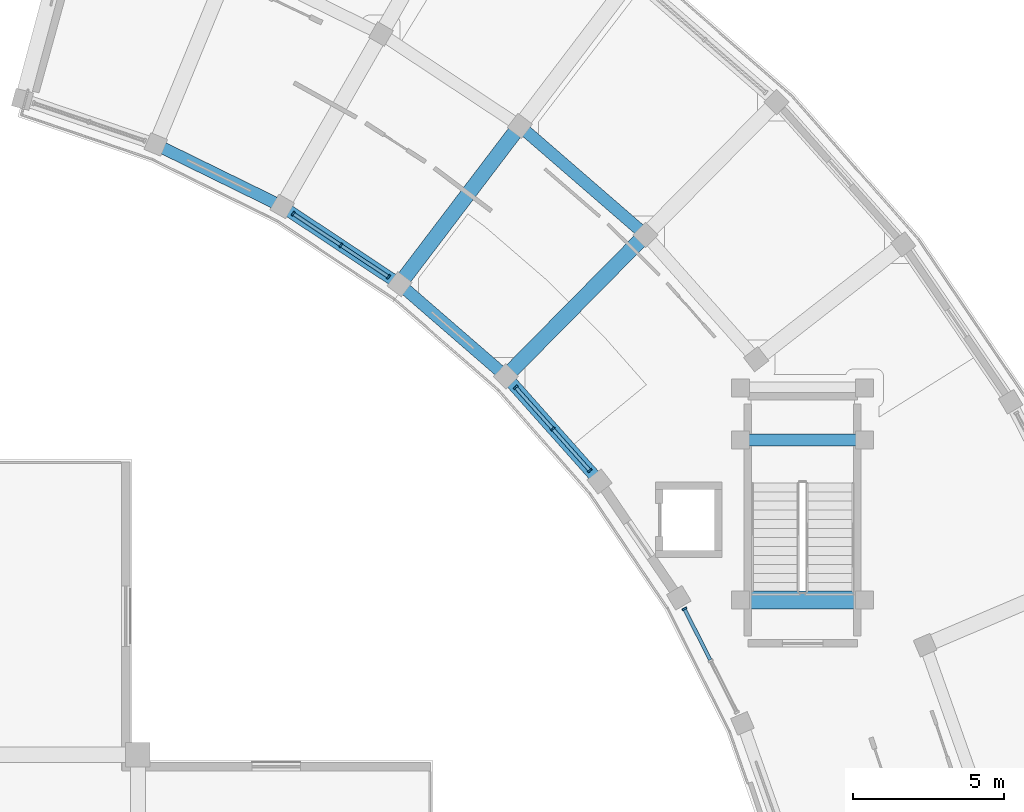
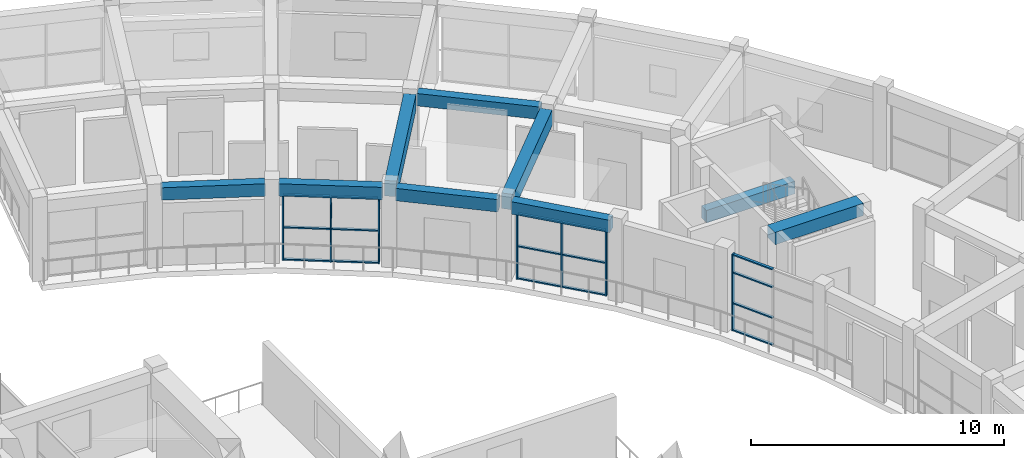
# One storey, part 34 of 70: 23 members, 9 beams, 3 elements without a shape of their own.
"""IFC4 building model written with IfcOpenShell, lengths in metres."""

from ifc_helpers import new_model, si_unit, direction, frame, origin, origin_2d, place, context, subcontext, project, spatial, rectangle, extrude, material, material_profile, profile_set, type_object, element, aggregate, save


model = new_model("IFC4")

# Units and contexts
model_context = context("Model", 3, precision=1e-05, world=origin(), true_north=direction((0.0, 1.0)))
body_context = subcontext(model_context, "Body", "Model", "MODEL_VIEW")
ifc_project = project(units=[si_unit("LENGTHUNIT", "METRE"), si_unit("AREAUNIT", "SQUARE_METRE"), si_unit("VOLUMEUNIT", "CUBIC_METRE"), si_unit("PLANEANGLEUNIT", "RADIAN"), si_unit("MASSUNIT", "GRAM", prefix="KILO")], contexts=[model_context])

# Site, building, storey
site_placement = place(None, origin())
site = spatial("IfcSite", under=ifc_project, at=site_placement, CompositionType="ELEMENT")
building_placement = place(site_placement, origin())
building = spatial("IfcBuilding", under=site, at=building_placement, Name="Saryqyr Civic Hall", CompositionType="ELEMENT")
storey_placement = place(building_placement, frame((0.0, 0.0, 13.199951171875)))
storey = spatial("IfcBuildingStorey", under=building, at=storey_placement, Name="L03", CompositionType="ELEMENT", Elevation=13.199951171875)

# Curtain wall, member
ifc_material_1 = material(Name="Anodised aluminium and triple low-E glass", Category="aluminium")
curtain_wall_type_1 = type_object("IfcCurtainWallType", Name="ENV-CW-STD-48", PredefinedType="NOTDEFINED", material=ifc_material_1)
curtain_wall_1_placement = place(storey_placement, origin())
curtain_wall_1 = element("IfcCurtainWall", 1, at=curtain_wall_1_placement, inside=storey, type_object=curtain_wall_type_1, Name="Curtain wall V6-CWI-L03-03", PredefinedType="NOTDEFINED")
ifc_material_2 = material(Name="Anodised aluminium", Category="aluminium")
ifc_material_profile_1 = material_profile(ifc_material_2, rectangle(XDim=0.06005859375, YDim=0.159912109375, at=origin_2d()), Name="ALU MULLION 60x160")
ifc_profile_set_1 = profile_set([ifc_material_profile_1], Name="Anodised aluminium")
member_type_1 = type_object("IfcMemberType", Name="ENV-CW-MUL-180", PredefinedType="MULLION", material=ifc_profile_set_1)
member_1_placement = place(storey_placement, frame((88.354248046875, 102.044189453125, 0.0), z_axis=(0.0, 0.0, 1.0), x_axis=(-0.451909750219, 0.892063662334, 0.0)))
member_1 = element("IfcMember", 2, at=member_1_placement, type_object=member_type_1, Name="CW-48 mullion 3", PredefinedType="MULLION", context=body_context, shape_type="SweptSolid", body=[
    extrude(rectangle(XDim=0.06005859375, YDim=0.159912109375, at=origin_2d()), origin(), (0.0, 0.0, 1.0), 3.699951171875),
])

# Curtain wall, members
curtain_wall_type_2 = type_object("IfcCurtainWallType", Name="ENV-CW-STD-27", PredefinedType="NOTDEFINED", material=ifc_material_1)
curtain_wall_2_placement = place(storey_placement, origin())
curtain_wall_2 = element("IfcCurtainWall", 3, at=curtain_wall_2_placement, inside=storey, type_object=curtain_wall_type_2, Name="Curtain wall V6-CWI-L03-05", PredefinedType="NOTDEFINED")
member_2_placement = place(storey_placement, frame((85.213134765625, 106.636962890625, 0.0), z_axis=(0.0, 0.0, 1.0), x_axis=(-0.664934070862, 0.7469020561, 0.0)))
member_2 = element("IfcMember", 4, at=member_2_placement, type_object=member_type_1, Name="CW-27 mullion 1", PredefinedType="MULLION", context=body_context, shape_type="SweptSolid", body=[
    extrude(rectangle(XDim=0.06005859375, YDim=0.159912109375, at=origin_2d()), origin(), (0.0, 0.0, 1.0), 3.1650390625),
])
member_3_placement = place(storey_placement, frame((83.981201171875, 108.0205078125, 0.0), z_axis=(0.0, 0.0, 1.0), x_axis=(-0.664934070862, 0.7469020561, 0.0)))
member_3 = element("IfcMember", 5, at=member_3_placement, type_object=member_type_1, Name="CW-27 mullion 2", PredefinedType="MULLION", context=body_context, shape_type="SweptSolid", body=[
    extrude(rectangle(XDim=0.06005859375, YDim=0.159912109375, at=origin_2d()), origin(), (0.0, 0.0, 1.0), 3.1650390625),
])
member_4_placement = place(storey_placement, frame((82.74951171875, 109.404052734375, 0.0), z_axis=(0.0, 0.0, 1.0), x_axis=(-0.664934070862, 0.7469020561, 0.0)))
member_4 = element("IfcMember", 6, at=member_4_placement, type_object=member_type_1, Name="CW-27 mullion 3", PredefinedType="MULLION", context=body_context, shape_type="SweptSolid", body=[
    extrude(rectangle(XDim=0.06005859375, YDim=0.159912109375, at=origin_2d()), origin(), (0.0, 0.0, 1.0), 3.1650390625),
])

curtain_wall_type_3 = type_object("IfcCurtainWallType", Name="ENV-CW-STD-25", PredefinedType="NOTDEFINED", material=ifc_material_1)
curtain_wall_3_placement = place(storey_placement, origin())
curtain_wall_3 = element("IfcCurtainWall", 7, at=curtain_wall_3_placement, inside=storey, type_object=curtain_wall_type_3, Name="Curtain wall V6-CWI-L03-07", PredefinedType="NOTDEFINED")
member_5_placement = place(storey_placement, frame((78.529052734375, 113.0703125, 0.0), z_axis=(0.0, 0.0, 1.0), x_axis=(-0.833756291383, 0.552132634953, 0.0)))
member_5 = element("IfcMember", 8, at=member_5_placement, type_object=member_type_1, Name="CW-25 mullion 1", PredefinedType="MULLION", context=body_context, shape_type="SweptSolid", body=[
    extrude(rectangle(XDim=0.06005859375, YDim=0.159912109375, at=origin_2d()), origin(), (0.0, 0.0, 1.0), 3.1650390625),
])
member_6_placement = place(storey_placement, frame((76.945068359375, 114.119384765625, 0.0), z_axis=(0.0, 0.0, 1.0), x_axis=(-0.833756291383, 0.552132634953, 0.0)))
member_6 = element("IfcMember", 9, at=member_6_placement, type_object=member_type_1, Name="CW-25 mullion 2", PredefinedType="MULLION", context=body_context, shape_type="SweptSolid", body=[
    extrude(rectangle(XDim=0.06005859375, YDim=0.159912109375, at=origin_2d()), origin(), (0.0, 0.0, 1.0), 3.1650390625),
])
member_7_placement = place(storey_placement, frame((75.36083984375, 115.16845703125, 0.0), z_axis=(0.0, 0.0, 1.0), x_axis=(-0.833756291383, 0.552132634953, 0.0)))
member_7 = element("IfcMember", 10, at=member_7_placement, type_object=member_type_1, Name="CW-25 mullion 3", PredefinedType="MULLION", context=body_context, shape_type="SweptSolid", body=[
    extrude(rectangle(XDim=0.06005859375, YDim=0.159912109375, at=origin_2d()), origin(), (0.0, 0.0, 1.0), 3.1650390625),
])

# Member
ifc_material_profile_2 = material_profile(ifc_material_2, rectangle(XDim=0.1201171875, YDim=0.06005859375, at=origin_2d()), Name="ALU TRANSOM 120x60")
ifc_profile_set_2 = profile_set([ifc_material_profile_2], Name="Anodised aluminium")
member_type_2 = type_object("IfcMemberType", Name="ENV-CW-TRN-150", PredefinedType="USERDEFINED", material=ifc_profile_set_2)
member_8_placement = place(storey_placement, frame((89.21142578125, 100.3525390625, 0.030029296875), z_axis=(-0.451916221053, 0.89206038425, 0.0), x_axis=(-0.89206038425, -0.451916221053, 0.0)))
member_8 = element("IfcMember", 11, at=member_8_placement, type_object=member_type_2, Name="CW-48 transom 2.1", ObjectType="TRANSOM", PredefinedType="USERDEFINED", context=body_context, shape_type="SweptSolid", body=[
    extrude(rectangle(XDim=0.1201171875, YDim=0.06005859375, at=origin_2d()), origin(), (0.0, 0.0, 1.0), 1.866455078125),
])

member_9_placement = place(storey_placement, frame((89.21142578125, 100.3525390625, 1.33203125), z_axis=(-0.451916221053, 0.89206038425, 0.0), x_axis=(-0.89206038425, -0.451916221053, 0.0)))
member_9 = element("IfcMember", 12, at=member_9_placement, type_object=member_type_2, Name="CW-48 transom 2.2", ObjectType="TRANSOM", PredefinedType="USERDEFINED", context=body_context, shape_type="SweptSolid", body=[
    extrude(rectangle(XDim=0.1201171875, YDim=0.06005859375, at=origin_2d()), origin(), (0.0, 0.0, 1.0), 1.866455078125),
])

member_10_placement = place(storey_placement, frame((89.21142578125, 100.3525390625, 2.81201171875), z_axis=(-0.451916221053, 0.89206038425, 0.0), x_axis=(-0.89206038425, -0.451916221053, 0.0)))
member_10 = element("IfcMember", 13, at=member_10_placement, type_object=member_type_2, Name="CW-48 transom 2.3", ObjectType="TRANSOM", PredefinedType="USERDEFINED", context=body_context, shape_type="SweptSolid", body=[
    extrude(rectangle(XDim=0.1201171875, YDim=0.06005859375, at=origin_2d()), origin(), (0.0, 0.0, 1.0), 1.866455078125),
])

member_11_placement = place(storey_placement, frame((89.21142578125, 100.3525390625, 3.670166015625), z_axis=(-0.451916221053, 0.89206038425, 0.0), x_axis=(-0.89206038425, -0.451916221053, 0.0)))
member_11 = element("IfcMember", 14, at=member_11_placement, type_object=member_type_2, Name="CW-48 transom 2.4", ObjectType="TRANSOM", PredefinedType="USERDEFINED", context=body_context, shape_type="SweptSolid", body=[
    extrude(rectangle(XDim=0.1201171875, YDim=0.06005859375, at=origin_2d()), origin(), (0.0, 0.0, 1.0), 1.866455078125),
])

aggregate(curtain_wall_1, [member_1, member_8, member_9, member_10, member_11])

member_12_placement = place(storey_placement, frame((85.193115234375, 106.659423828125, 0.030029296875), z_axis=(-0.664989244005, 0.746852934223, 0.0), x_axis=(-0.746852934223, -0.664989244005, 0.0)))
member_12 = element("IfcMember", 15, at=member_12_placement, type_object=member_type_2, Name="CW-27 transom 1.1", ObjectType="TRANSOM", PredefinedType="USERDEFINED", context=body_context, shape_type="SweptSolid", body=[
    extrude(rectangle(XDim=0.1201171875, YDim=0.06005859375, at=origin_2d()), origin(), (0.0, 0.0, 1.0), 1.792236328125),
])

member_13_placement = place(storey_placement, frame((85.193115234375, 106.659423828125, 1.58203125), z_axis=(-0.664989244005, 0.746852934223, 0.0), x_axis=(-0.746852934223, -0.664989244005, 0.0)))
member_13 = element("IfcMember", 16, at=member_13_placement, type_object=member_type_2, Name="CW-27 transom 1.2", ObjectType="TRANSOM", PredefinedType="USERDEFINED", context=body_context, shape_type="SweptSolid", body=[
    extrude(rectangle(XDim=0.1201171875, YDim=0.06005859375, at=origin_2d()), origin(), (0.0, 0.0, 1.0), 1.792236328125),
])

member_14_placement = place(storey_placement, frame((85.193115234375, 106.659423828125, 3.135009765625), z_axis=(-0.664989244005, 0.746852934223, 0.0), x_axis=(-0.746852934223, -0.664989244005, 0.0)))
member_14 = element("IfcMember", 17, at=member_14_placement, type_object=member_type_2, Name="CW-27 transom 1.3", ObjectType="TRANSOM", PredefinedType="USERDEFINED", context=body_context, shape_type="SweptSolid", body=[
    extrude(rectangle(XDim=0.1201171875, YDim=0.06005859375, at=origin_2d()), origin(), (0.0, 0.0, 1.0), 1.792236328125),
])

member_15_placement = place(storey_placement, frame((83.96142578125, 108.04296875, 0.030029296875), z_axis=(-0.664989244005, 0.746852934223, 0.0), x_axis=(-0.746852934223, -0.664989244005, 0.0)))
member_15 = element("IfcMember", 18, at=member_15_placement, type_object=member_type_2, Name="CW-27 transom 2.1", ObjectType="TRANSOM", PredefinedType="USERDEFINED", context=body_context, shape_type="SweptSolid", body=[
    extrude(rectangle(XDim=0.1201171875, YDim=0.06005859375, at=origin_2d()), origin(), (0.0, 0.0, 1.0), 1.792236328125),
])

member_16_placement = place(storey_placement, frame((83.96142578125, 108.04296875, 1.58203125), z_axis=(-0.664989244005, 0.746852934223, 0.0), x_axis=(-0.746852934223, -0.664989244005, 0.0)))
member_16 = element("IfcMember", 19, at=member_16_placement, type_object=member_type_2, Name="CW-27 transom 2.2", ObjectType="TRANSOM", PredefinedType="USERDEFINED", context=body_context, shape_type="SweptSolid", body=[
    extrude(rectangle(XDim=0.1201171875, YDim=0.06005859375, at=origin_2d()), origin(), (0.0, 0.0, 1.0), 1.792236328125),
])

member_17_placement = place(storey_placement, frame((83.96142578125, 108.04296875, 3.135009765625), z_axis=(-0.664989244005, 0.746852934223, 0.0), x_axis=(-0.746852934223, -0.664989244005, 0.0)))
member_17 = element("IfcMember", 20, at=member_17_placement, type_object=member_type_2, Name="CW-27 transom 2.3", ObjectType="TRANSOM", PredefinedType="USERDEFINED", context=body_context, shape_type="SweptSolid", body=[
    extrude(rectangle(XDim=0.1201171875, YDim=0.06005859375, at=origin_2d()), origin(), (0.0, 0.0, 1.0), 1.792236328125),
])

aggregate(curtain_wall_2, [member_2, member_3, member_4, member_12, member_13, member_14, member_15, member_16, member_17])

member_18_placement = place(storey_placement, frame((78.50390625, 113.0869140625, 0.030029296875), z_axis=(-0.833740862304, 0.552155933161, 0.0), x_axis=(-0.552155933161, -0.833740862304, 0.0)))
member_18 = element("IfcMember", 21, at=member_18_placement, type_object=member_type_2, Name="CW-25 transom 1.1", ObjectType="TRANSOM", PredefinedType="USERDEFINED", context=body_context, shape_type="SweptSolid", body=[
    extrude(rectangle(XDim=0.1201171875, YDim=0.06005859375, at=origin_2d()), origin(), (0.0, 0.0, 1.0), 1.83984375),
])

member_19_placement = place(storey_placement, frame((78.50390625, 113.0869140625, 1.58203125), z_axis=(-0.833740862304, 0.552155933161, 0.0), x_axis=(-0.552155933161, -0.833740862304, 0.0)))
member_19 = element("IfcMember", 22, at=member_19_placement, type_object=member_type_2, Name="CW-25 transom 1.2", ObjectType="TRANSOM", PredefinedType="USERDEFINED", context=body_context, shape_type="SweptSolid", body=[
    extrude(rectangle(XDim=0.1201171875, YDim=0.06005859375, at=origin_2d()), origin(), (0.0, 0.0, 1.0), 1.83984375),
])

member_20_placement = place(storey_placement, frame((78.50390625, 113.0869140625, 3.135009765625), z_axis=(-0.833740862304, 0.552155933161, 0.0), x_axis=(-0.552155933161, -0.833740862304, 0.0)))
member_20 = element("IfcMember", 23, at=member_20_placement, type_object=member_type_2, Name="CW-25 transom 1.3", ObjectType="TRANSOM", PredefinedType="USERDEFINED", context=body_context, shape_type="SweptSolid", body=[
    extrude(rectangle(XDim=0.1201171875, YDim=0.06005859375, at=origin_2d()), origin(), (0.0, 0.0, 1.0), 1.83984375),
])

member_21_placement = place(storey_placement, frame((76.919921875, 114.135986328125, 0.030029296875), z_axis=(-0.833740862304, 0.552155933161, 0.0), x_axis=(-0.552155933161, -0.833740862304, 0.0)))
member_21 = element("IfcMember", 24, at=member_21_placement, type_object=member_type_2, Name="CW-25 transom 2.1", ObjectType="TRANSOM", PredefinedType="USERDEFINED", context=body_context, shape_type="SweptSolid", body=[
    extrude(rectangle(XDim=0.1201171875, YDim=0.06005859375, at=origin_2d()), origin(), (0.0, 0.0, 1.0), 1.83984375),
])

member_22_placement = place(storey_placement, frame((76.919921875, 114.135986328125, 1.58203125), z_axis=(-0.833740862304, 0.552155933161, 0.0), x_axis=(-0.552155933161, -0.833740862304, 0.0)))
member_22 = element("IfcMember", 25, at=member_22_placement, type_object=member_type_2, Name="CW-25 transom 2.2", ObjectType="TRANSOM", PredefinedType="USERDEFINED", context=body_context, shape_type="SweptSolid", body=[
    extrude(rectangle(XDim=0.1201171875, YDim=0.06005859375, at=origin_2d()), origin(), (0.0, 0.0, 1.0), 1.83984375),
])

member_23_placement = place(storey_placement, frame((76.919921875, 114.135986328125, 3.135009765625), z_axis=(-0.833740862304, 0.552155933161, 0.0), x_axis=(-0.552155933161, -0.833740862304, 0.0)))
member_23 = element("IfcMember", 26, at=member_23_placement, type_object=member_type_2, Name="CW-25 transom 2.3", ObjectType="TRANSOM", PredefinedType="USERDEFINED", context=body_context, shape_type="SweptSolid", body=[
    extrude(rectangle(XDim=0.1201171875, YDim=0.06005859375, at=origin_2d()), origin(), (0.0, 0.0, 1.0), 1.83984375),
])

aggregate(curtain_wall_3, [member_5, member_6, member_7, member_18, member_19, member_20, member_21, member_22, member_23])

# Beams
ifc_material_3 = material(Name="Concrete C35/45", Category="concrete")
ifc_material_profile_3 = material_profile(ifc_material_3, rectangle(XDim=0.39990234375, YDim=0.60009765625, at=origin_2d()), Name="RC 400x600")
ifc_profile_set_3 = profile_set([ifc_material_profile_3], Name="Concrete C35/45")
beam_type_1 = type_object("IfcBeamType", Name="STR-BM-RC400x600", PredefinedType="BEAM", material=ifc_profile_set_3)
beam_1_placement = place(storey_placement, frame((86.85498046875, 114.644287109375, 3.489990234375), z_axis=(-0.755658334576, 0.654966015443, 0.0), x_axis=(-0.654966015443, -0.755658334576, 0.0)))
element("IfcBeam", 27, at=beam_1_placement, inside=storey, type_object=beam_type_1, Name="Beam V6-CBM-MID06-L03", PredefinedType="BEAM", context=body_context, shape_type="SweptSolid", body=[
    extrude(rectangle(XDim=0.39990234375, YDim=0.60009765625, at=origin_2d()), origin(), (0.0, 0.0, 1.0), 4.977783203125),
])
beam_2_placement = place(storey_placement, frame((94.300048828125, 107.64990234375, 1.525146484375), z_axis=(-1.0, 0.0, 0.0), x_axis=(0.0, -1.0, 0.0)))
element("IfcBeam", 28, at=beam_2_placement, inside=storey, type_object=beam_type_1, Name="Stair half-landing support beam ST-6-LND1-L03", PredefinedType="BEAM", context=body_context, shape_type="SweptSolid", body=[
    extrude(rectangle(XDim=0.39990234375, YDim=0.60009765625, at=origin_2d()), origin(), (0.0, 0.0, 1.0), 4.0400390625),
])
ifc_material_profile_4 = material_profile(ifc_material_3, rectangle(XDim=0.39990234375, YDim=0.60009765625, at=origin_2d()), Name="RC 400x600")
ifc_profile_set_4 = profile_set([ifc_material_profile_4], Name="Concrete C35/45")
beam_type_2 = type_object("IfcBeamType", Name="STR-BM-RC400x600-EXT", PredefinedType="BEAM", material=ifc_profile_set_4)
beam_3_placement = place(storey_placement, frame((85.352783203125, 106.47998046875, 3.489990234375), z_axis=(-0.664933037621, 0.746902975948, 0.0), x_axis=(-0.746902975948, -0.664933037621, 0.0)))
element("IfcBeam", 29, at=beam_3_placement, inside=storey, type_object=beam_type_2, Name="Beam V6-CBM-IN05-L03", PredefinedType="BEAM", context=body_context, shape_type="SweptSolid", body=[
    extrude(rectangle(XDim=0.39990234375, YDim=0.60009765625, at=origin_2d()), origin(), (0.0, 0.0, 1.0), 4.125),
])
beam_4_placement = place(storey_placement, frame((82.218994140625, 109.946533203125, 3.489990234375), z_axis=(-0.755618782617, 0.655011645207, 0.0), x_axis=(-0.655011645207, -0.755618782617, 0.0)))
element("IfcBeam", 30, at=beam_4_placement, inside=storey, type_object=beam_type_2, Name="Beam V6-CBM-IN06-L03", PredefinedType="BEAM", context=body_context, shape_type="SweptSolid", body=[
    extrude(rectangle(XDim=0.39990234375, YDim=0.60009765625, at=origin_2d()), origin(), (0.0, 0.0, 1.0), 4.125244140625),
])
beam_5_placement = place(storey_placement, frame((78.664794921875, 112.98046875, 3.489990234375), z_axis=(-0.833757941264, 0.552130143516, 0.0), x_axis=(-0.552130143516, -0.833757941264, 0.0)))
element("IfcBeam", 31, at=beam_5_placement, inside=storey, type_object=beam_type_2, Name="Beam V6-CBM-IN07-L03", PredefinedType="BEAM", context=body_context, shape_type="SweptSolid", body=[
    extrude(rectangle(XDim=0.39990234375, YDim=0.60009765625, at=origin_2d()), origin(), (0.0, 0.0, 1.0), 4.12548828125),
])
beam_6_placement = place(storey_placement, frame((74.7490234375, 115.531005859375, 3.489990234375), z_axis=(-0.897961536886, 0.440073946371, 0.0), x_axis=(-0.440073946371, -0.897961536886, 0.0)))
element("IfcBeam", 32, at=beam_6_placement, inside=storey, type_object=beam_type_2, Name="Beam V6-CBM-IN08-L03", PredefinedType="BEAM", context=body_context, shape_type="SweptSolid", body=[
    extrude(rectangle(XDim=0.39990234375, YDim=0.60009765625, at=origin_2d()), origin(), (0.0, 0.0, 1.0), 4.125244140625),
])
ifc_material_4 = material(Name="Concrete C40/50", Category="concrete")
ifc_material_profile_5 = material_profile(ifc_material_4, rectangle(XDim=0.5, YDim=0.75, at=origin_2d()), Name="RC 500x750")
ifc_profile_set_5 = profile_set([ifc_material_profile_5], Name="Concrete C40/50")
beam_type_3 = type_object("IfcBeamType", Name="STR-BM-RC500x750", PredefinedType="BEAM", material=ifc_profile_set_5)
for number, where, z_axis, x_axis, name in (
    (33, (82.6201171875, 109.962158203125, 3.4150390625), (0.702389990829, 0.711792315766, 0.0), (-0.711792315766, 0.702389990829, 0.0), "Beam V6-RBM-A06-L03"),
    (34, (79.060302734375, 113.047607421875, 3.4150390625), (0.60481209734, 0.796368210636, 0.0), (-0.796368210636, 0.60481209734, 0.0), "Beam V6-RBM-A07-L03"),
):
    element("IfcBeam", number, at=place(storey_placement, frame(where, z_axis=z_axis, x_axis=x_axis)), inside=storey, type_object=beam_type_3, Name=name, PredefinedType="BEAM", context=body_context, shape_type="SweptSolid", body=[
        extrude(rectangle(XDim=0.5, YDim=0.75, at=origin_2d()), origin(), (0.0, 0.0, 1.0), 6.050048828125),
    ])
ifc_material_profile_6 = material_profile(ifc_material_4, rectangle(XDim=0.60009765625, YDim=0.60009765625, at=origin_2d()), Name="RC 600x600")
ifc_profile_set_6 = profile_set([ifc_material_profile_6], Name="Concrete C40/50")
beam_type_4 = type_object("IfcBeamType", Name="STR-BM-RC600x600", PredefinedType="BEAM", material=ifc_profile_set_6)
beam_7_placement = place(storey_placement, frame((94.300048828125, 102.3349609375, 3.75), z_axis=(-1.0, 0.0, 0.0), x_axis=(0.0, -1.0, 0.0)))
element("IfcBeam", 35, at=beam_7_placement, inside=storey, type_object=beam_type_4, Name="Stair well trimmer beam ST-6-L04", PredefinedType="BEAM", context=body_context, shape_type="SweptSolid", body=[
    extrude(rectangle(XDim=0.60009765625, YDim=0.60009765625, at=origin_2d()), origin(), (0.0, 0.0, 1.0), 4.0400390625),
])

save(model, "model.ifc")
